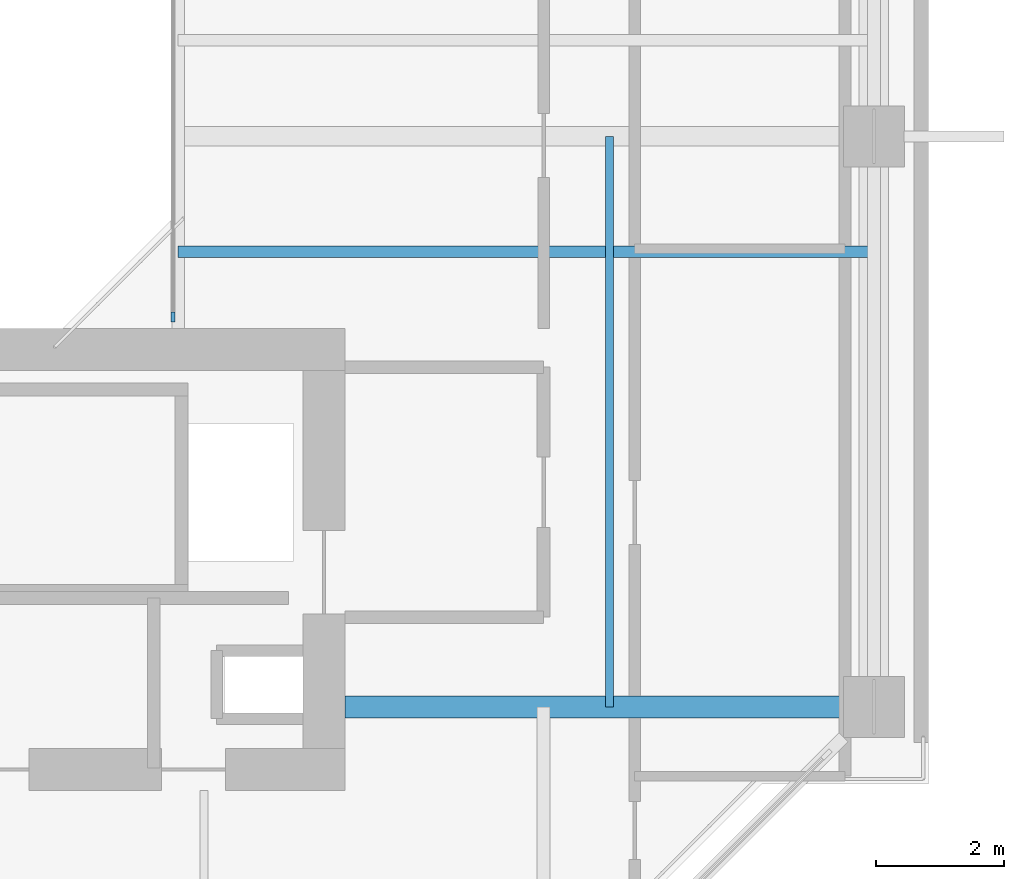
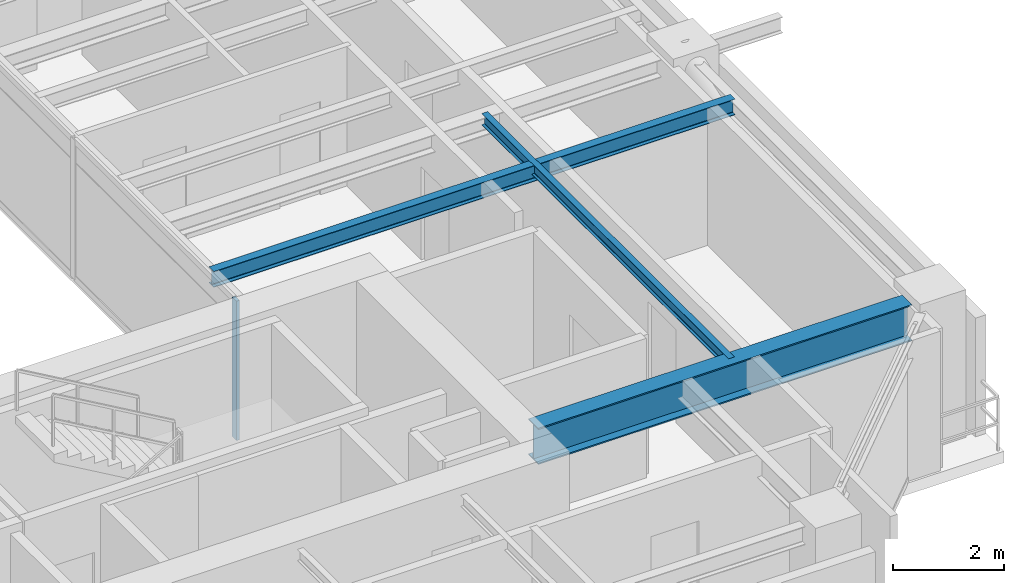
# One storey, part 3 of 14: 3 beams, 1 member, 1 element without a shape of its own.
"""IFC4 building model written with IfcOpenShell, lengths in metres."""

from ifc_helpers import new_model, si_unit, direction, frame, origin, origin_2d, place, context, subcontext, project, spatial, rectangle, i_section, extrude, source, transform, mapped, material, layer, layer_set, material_profile, profile_set, type_object, element, aggregate, save


model = new_model("IFC4")

# Units and contexts
model_context = context("Model", 3, precision=1e-05, world=origin(), true_north=direction((0.0, 1.0)))
body_context = subcontext(model_context, "Body", "Model", "MODEL_VIEW")
ifc_project = project(units=[si_unit("LENGTHUNIT", "METRE"), si_unit("AREAUNIT", "SQUARE_METRE"), si_unit("VOLUMEUNIT", "CUBIC_METRE"), si_unit("PLANEANGLEUNIT", "RADIAN"), si_unit("MASSUNIT", "GRAM", prefix="KILO"), si_unit("THERMODYNAMICTEMPERATUREUNIT", "KELVIN"), si_unit("POWERUNIT", "WATT")], contexts=[model_context])

# Site, building, storey
site_placement = place(None, origin())
site = spatial("IfcSite", under=ifc_project, at=site_placement, CompositionType="ELEMENT")
building_placement = place(site_placement, origin())
building = spatial("IfcBuilding", under=site, at=building_placement, Name="Qiaomeng Ring Towers", CompositionType="ELEMENT")
storey_placement = place(building_placement, frame((0.0, 0.0, 176.25)))
storey = spatial("IfcBuildingStorey", under=building, at=storey_placement, Name="L51", CompositionType="ELEMENT", Elevation=176.25)

# Beams
ifc_material_1 = material(Name="Steel Q355B", Category="steel")
ifc_material_profile_1 = material_profile(ifc_material_1, i_section(OverallWidth=0.175048828125, OverallDepth=0.35009765625, WebThickness=0.007080078125, FlangeThickness=0.010986328125, FilletRadius=0.013916015625, at=origin_2d()), Name="HN 350x175x7x11")
ifc_profile_set_1 = profile_set([ifc_material_profile_1], Name="Steel Q355B")
beam_type_1 = type_object("IfcBeamType", Name="STR-BM-HN350", PredefinedType="JOIST", material=ifc_profile_set_1)
shared_shape_1 = source(origin(), body_context, "Body", "SweptSolid", [
    extrude(i_section(OverallWidth=0.175048828125, OverallDepth=0.35009765625, WebThickness=0.007080078125, FlangeThickness=0.010986328125, FilletRadius=0.013916015625, at=origin_2d()), origin(), (0.0, 0.0, 1.0), 10.85009765625),
])
beam_1_placement = place(storey_placement, frame((25.199951171875, 18.199951171875, 2.89501953125), z_axis=(1.0, 0.0, 0.0), x_axis=(0.0, 1.0, 0.0)))
element("IfcBeam", 1, at=beam_1_placement, inside=storey, type_object=beam_type_1, Name="L51 beam STR-JST-L51-T1E-1", PredefinedType="JOIST", context=body_context, shape_type="MappedRepresentation", body=[
    mapped(shared_shape_1, transform((0.0, 0.0, 0.0), x_axis=(1.0, 0.0, 0.0), y_axis=(0.0, 1.0, 0.0), z_axis=(0.0, 0.0, 1.0), scale=1.0)),
])
ifc_material_profile_2 = material_profile(ifc_material_1, i_section(OverallWidth=0.125, OverallDepth=0.25, WebThickness=0.006103515625, FlangeThickness=0.009033203125, FilletRadius=0.011962890625, at=origin_2d()), Name="HN 250x125x6x9")
ifc_profile_set_2 = profile_set([ifc_material_profile_2], Name="Steel Q355B")
beam_type_2 = type_object("IfcBeamType", Name="STR-BM-HN250", PredefinedType="JOIST", material=ifc_profile_set_2)
shared_shape_2 = source(origin(), body_context, "Body", "SweptSolid", [
    extrude(i_section(OverallWidth=0.125, OverallDepth=0.25, WebThickness=0.006103515625, FlangeThickness=0.009033203125, FilletRadius=0.011962890625, at=origin_2d()), origin(), (0.0, 0.0, 1.0), 8.89990234375),
])
beam_2_placement = place(storey_placement, frame((31.925048828125, 11.10009765625, 2.945068359375), z_axis=(0.0, 1.0, 0.0), x_axis=(-1.0, 0.0, 0.0)))
element("IfcBeam", 2, at=beam_2_placement, inside=storey, type_object=beam_type_2, Name="L51 beam STR-JST-L51-T1C-ES", PredefinedType="JOIST", context=body_context, shape_type="MappedRepresentation", body=[
    mapped(shared_shape_2, transform((0.0, 0.0, 0.0), x_axis=(1.0, 0.0, 0.0), y_axis=(0.0, 1.0, 0.0), z_axis=(0.0, 0.0, 1.0), scale=1.0)),
])
ifc_material_2 = material(Name="Steel Q390GJC", Category="steel")
ifc_material_profile_3 = material_profile(ifc_material_2, i_section(OverallWidth=0.35009765625, OverallDepth=0.800048828125, WebThickness=0.01611328125, FlangeThickness=0.028076171875, at=origin_2d()), Name="WH 800x350x16x28")
ifc_profile_set_3 = profile_set([ifc_material_profile_3], Name="Steel Q390GJC")
beam_type_3 = type_object("IfcBeamType", Name="STR-BM-WH800", PredefinedType="BEAM", material=ifc_profile_set_3)
shared_shape_3 = source(origin(), body_context, "Body", "SweptSolid", [
    extrude(i_section(OverallWidth=0.35009765625, OverallDepth=0.800048828125, WebThickness=0.01611328125, FlangeThickness=0.028076171875, at=origin_2d()), origin(), (0.0, 0.0, 1.0), 7.77587890625),
])
beam_3_placement = place(storey_placement, frame((27.800048828125, 11.10009765625, 2.669921875), z_axis=(1.0, 0.0, 0.0), x_axis=(0.0, 1.0, 0.0)))
element("IfcBeam", 3, at=beam_3_placement, inside=storey, type_object=beam_type_3, Name="L51 beam STR-BM-L51-T1-RAD-E1", PredefinedType="BEAM", context=body_context, shape_type="MappedRepresentation", body=[
    mapped(shared_shape_3, transform((0.0, 0.0, 0.0), x_axis=(1.0, 0.0, 0.0), y_axis=(0.0, 1.0, 0.0), z_axis=(0.0, 0.0, 1.0), scale=1.0)),
])

# Curtain wall, member
ifc_material_3 = material(Name="Fluorocarbon dark-grey aluminium", Category="aluminium")
ifc_layer = layer(ifc_material_3, 0.139892578125, Name="Fluorocarbon dark-grey aluminium")
ifc_layer_set = layer_set([ifc_layer], Name="Fluorocarbon dark-grey aluminium")
curtain_wall_type = type_object("IfcCurtainWallType", Name="ARC-CW-4", PredefinedType="NOTDEFINED", material=ifc_layer_set)
curtain_wall_placement = place(storey_placement, origin())
curtain_wall = element("IfcCurtainWall", 4, at=curtain_wall_placement, inside=storey, type_object=curtain_wall_type, Name="L51 Curtain Wall CW4", PredefinedType="NOTDEFINED")
ifc_material_profile_4 = material_profile(ifc_material_3, rectangle(XDim=0.06494140625, YDim=0.159912109375, at=origin_2d()), Name="ALU MULL 65x160")
ifc_profile_set_4 = profile_set([ifc_material_profile_4], Name="Fluorocarbon dark-grey aluminium")
member_type = type_object("IfcMemberType", Name="ARC-CWM-140", PredefinedType="MULLION", material=ifc_profile_set_4)
shared_shape_4 = source(origin(), body_context, "Body", "SweptSolid", [
    extrude(rectangle(XDim=0.06494140625, YDim=0.159912109375, at=origin_2d()), origin(), (0.0, 0.0, 1.0), 3.070068359375),
])
member_placement = place(storey_placement, frame((25.1201171875, 17.1826171875, 0.0), z_axis=(0.0, 0.0, 1.0), x_axis=(-1.0, 0.0, 0.0)))
member = element("IfcMember", 5, at=member_placement, type_object=member_type, Name="CW4 mullion 1", PredefinedType="MULLION", context=body_context, shape_type="MappedRepresentation", body=[
    mapped(shared_shape_4, transform((0.0, 0.0, 0.0), x_axis=(1.0, 0.0, 0.0), y_axis=(0.0, 1.0, 0.0), z_axis=(0.0, 0.0, 1.0), scale=1.0)),
])
aggregate(curtain_wall, [member])

save(model, "model.ifc")
